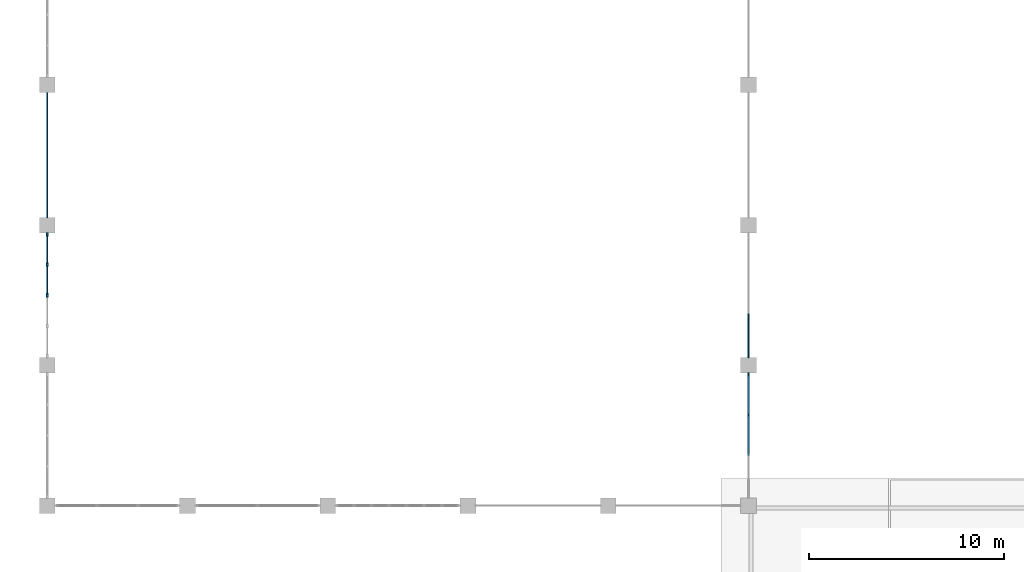
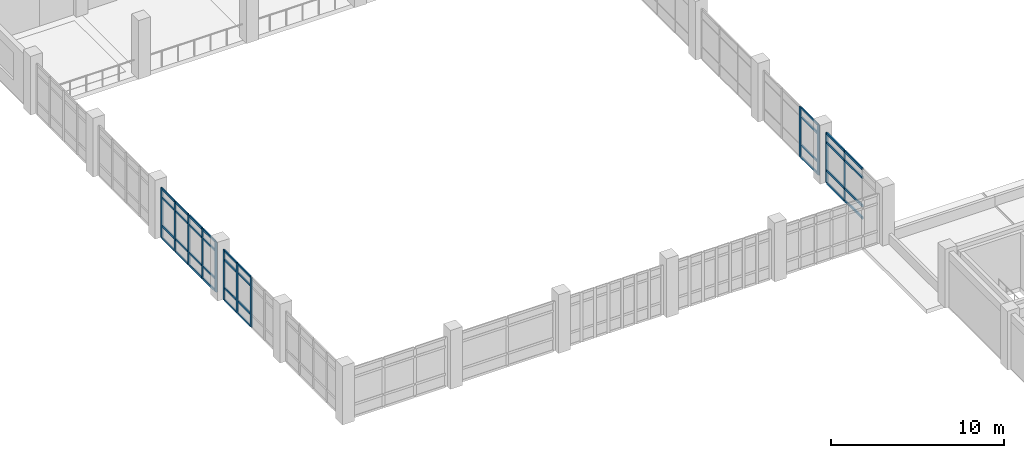
# One storey, part 5 of 62: 48 members, 4 elements without a shape of their own.
"""IFC4 building model written with IfcOpenShell, lengths in metres."""

from ifc_helpers import new_model, si_unit, direction, frame, origin, origin_2d, place, context, subcontext, project, spatial, rectangle, extrude, material, layer, layer_set, material_profile, profile_set, type_object, element, aggregate, save


model = new_model("IFC4")

# Units and contexts
model_context = context("Model", 3, precision=1e-05, world=origin(), true_north=direction((0.0, 1.0)))
body_context = subcontext(model_context, "Body", "Model", "MODEL_VIEW")
ifc_project = project(units=[si_unit("LENGTHUNIT", "METRE"), si_unit("AREAUNIT", "SQUARE_METRE"), si_unit("VOLUMEUNIT", "CUBIC_METRE"), si_unit("PLANEANGLEUNIT", "RADIAN"), si_unit("MASSUNIT", "GRAM", prefix="KILO")], contexts=[model_context])

# Site, building, storey
site_placement = place(None, origin())
site = spatial("IfcSite", under=ifc_project, at=site_placement, CompositionType="ELEMENT")
building_placement = place(site_placement, origin())
building = spatial("IfcBuilding", under=site, at=building_placement, Name="Kavelor Marine Aquarium", CompositionType="ELEMENT")
storey_placement = place(building_placement, frame((0.0, 0.0, 13.5)))
storey = spatial("IfcBuildingStorey", under=building, at=storey_placement, Name="L03", CompositionType="ELEMENT", Elevation=13.5)

# Curtain wall, members
ifc_material_1 = material(Name="Thermally Broken Aluminium and Low-E Glass", Category="aluminium")
ifc_layer_1 = layer(ifc_material_1, 0.243896484375)
ifc_layer_set_1 = layer_set([ifc_layer_1], Name="CW-SYS13")
curtain_wall_type_1 = type_object("IfcCurtainWallType", Name="CW-SYS13", PredefinedType="USERDEFINED", material=ifc_layer_set_1)
curtain_wall_1_placement = place(storey_placement, origin())
curtain_wall_1 = element("IfcCurtainWall", 1, at=curtain_wall_1_placement, inside=storey, type_object=curtain_wall_type_1, Name="cw:y:L03:00_05", ObjectType="Curtain Wall", PredefinedType="USERDEFINED")
ifc_material_2 = material(Name="Anodised Aluminium Alloy 6063-T6", Category="aluminium")
ifc_material_profile_1 = material_profile(ifc_material_2, rectangle(XDim=0.074951171875, YDim=0.179931640625, at=origin_2d()), Name="CW-MUL 75x180")
ifc_profile_set_1 = profile_set([ifc_material_profile_1], Name="Anodised Aluminium Alloy 6063-T6")
member_type_1 = type_object("IfcMemberType", Name="CWM-1", PredefinedType="MULLION", material=ifc_profile_set_1)
member_1_placement = place(storey_placement, frame((3.199951171875, 45.517578125, 0.0), z_axis=(0.0, 0.0, 1.0), x_axis=(1.0, 0.0, 0.0)))
member_1 = element("IfcMember", 2, at=member_1_placement, type_object=member_type_1, Name="CW13 mullion 1", PredefinedType="MULLION", context=body_context, shape_type="SweptSolid", body=[
    extrude(rectangle(XDim=0.074951171875, YDim=0.179931640625, at=origin_2d()), origin(), (0.0, 0.0, 1.0), 3.530029296875),
])
member_2_placement = place(storey_placement, frame((3.199951171875, 43.9775390625, 0.0), z_axis=(0.0, 0.0, 1.0), x_axis=(1.0, 0.0, 0.0)))
member_2 = element("IfcMember", 3, at=member_2_placement, type_object=member_type_1, Name="CW13 mullion 2", PredefinedType="MULLION", context=body_context, shape_type="SweptSolid", body=[
    extrude(rectangle(XDim=0.074951171875, YDim=0.179931640625, at=origin_2d()), origin(), (0.0, 0.0, 1.0), 3.530029296875),
])
member_3_placement = place(storey_placement, frame((3.199951171875, 42.39990234375, 0.0), z_axis=(0.0, 0.0, 1.0), x_axis=(1.0, 0.0, 0.0)))
member_3 = element("IfcMember", 4, at=member_3_placement, type_object=member_type_1, Name="CW13 mullion 3", PredefinedType="MULLION", context=body_context, shape_type="SweptSolid", body=[
    extrude(rectangle(XDim=0.074951171875, YDim=0.179931640625, at=origin_2d()), origin(), (0.0, 0.0, 1.0), 3.530029296875),
])
member_4_placement = place(storey_placement, frame((3.199951171875, 40.822509765625, 0.0), z_axis=(0.0, 0.0, 1.0), x_axis=(1.0, 0.0, 0.0)))
member_4 = element("IfcMember", 5, at=member_4_placement, type_object=member_type_1, Name="CW13 mullion 4", PredefinedType="MULLION", context=body_context, shape_type="SweptSolid", body=[
    extrude(rectangle(XDim=0.074951171875, YDim=0.179931640625, at=origin_2d()), origin(), (0.0, 0.0, 1.0), 3.530029296875),
])
member_5_placement = place(storey_placement, frame((3.199951171875, 39.282470703125, 0.0), z_axis=(0.0, 0.0, 1.0), x_axis=(1.0, 0.0, 0.0)))
member_5 = element("IfcMember", 6, at=member_5_placement, type_object=member_type_1, Name="CW13 mullion 5", PredefinedType="MULLION", context=body_context, shape_type="SweptSolid", body=[
    extrude(rectangle(XDim=0.074951171875, YDim=0.179931640625, at=origin_2d()), origin(), (0.0, 0.0, 1.0), 3.530029296875),
])

ifc_material_3 = material(Name="Thermally Broken Aluminium and Low-E Glass", Category="aluminium")
ifc_layer_2 = layer(ifc_material_3, 0.27587890625)
ifc_layer_set_2 = layer_set([ifc_layer_2], Name="CW-SYS17")
curtain_wall_type_2 = type_object("IfcCurtainWallType", Name="CW-SYS17", PredefinedType="USERDEFINED", material=ifc_layer_set_2)
curtain_wall_2_placement = place(storey_placement, origin())
curtain_wall_2 = element("IfcCurtainWall", 7, at=curtain_wall_2_placement, inside=storey, type_object=curtain_wall_type_2, Name="cw:y:L03:05_03", ObjectType="Curtain Wall", PredefinedType="USERDEFINED")
ifc_material_4 = material(Name="Anodised Aluminium Alloy 6063-T6", Category="aluminium")
ifc_material_profile_2 = material_profile(ifc_material_4, rectangle(XDim=0.080078125, YDim=0.18505859375, at=origin_2d()), Name="CW-MUL 80x185")
ifc_profile_set_2 = profile_set([ifc_material_profile_2], Name="Anodised Aluminium Alloy 6063-T6")
member_type_2 = type_object("IfcMemberType", Name="CWM-2", PredefinedType="MULLION", material=ifc_profile_set_2)
member_6_placement = place(storey_placement, frame((39.199951171875, 29.0517578125, 0.0), z_axis=(0.0, 0.0, 1.0), x_axis=(-1.0, 0.0, 0.0)))
member_6 = element("IfcMember", 8, at=member_6_placement, type_object=member_type_2, Name="CW17 mullion 3", PredefinedType="MULLION", context=body_context, shape_type="SweptSolid", body=[
    extrude(rectangle(XDim=0.080078125, YDim=0.18505859375, at=origin_2d()), origin(), (0.0, 0.0, 1.0), 3.530029296875),
])
member_7_placement = place(storey_placement, frame((39.199951171875, 31.12255859375, 0.0), z_axis=(0.0, 0.0, 1.0), x_axis=(-1.0, 0.0, 0.0)))
member_7 = element("IfcMember", 9, at=member_7_placement, type_object=member_type_2, Name="CW17 mullion 4", PredefinedType="MULLION", context=body_context, shape_type="SweptSolid", body=[
    extrude(rectangle(XDim=0.080078125, YDim=0.18505859375, at=origin_2d()), origin(), (0.0, 0.0, 1.0), 3.530029296875),
])

ifc_material_5 = material(Name="Thermally Broken Aluminium and Low-E Glass", Category="aluminium")
ifc_layer_3 = layer(ifc_material_5, 0.236083984375)
ifc_layer_set_3 = layer_set([ifc_layer_3], Name="CW-SYS12")
curtain_wall_type_3 = type_object("IfcCurtainWallType", Name="CW-SYS12", PredefinedType="USERDEFINED", material=ifc_layer_set_3)
curtain_wall_3_placement = place(storey_placement, origin())
curtain_wall_3 = element("IfcCurtainWall", 10, at=curtain_wall_3_placement, inside=storey, type_object=curtain_wall_type_3, Name="cw:y:L03:00_04", ObjectType="Curtain Wall", PredefinedType="USERDEFINED")
ifc_material_6 = material(Name="Anodised Aluminium Alloy 6063-T6", Category="aluminium")
ifc_material_profile_3 = material_profile(ifc_material_6, rectangle(XDim=0.0849609375, YDim=0.18994140625, at=origin_2d()), Name="CW-MUL 85x190")
ifc_profile_set_3 = profile_set([ifc_material_profile_3], Name="Anodised Aluminium Alloy 6063-T6")
member_type_3 = type_object("IfcMemberType", Name="CWM-3", PredefinedType="MULLION", material=ifc_profile_set_3)
member_8_placement = place(storey_placement, frame((3.199951171875, 38.324951171875, 0.0), z_axis=(0.0, 0.0, 1.0), x_axis=(1.0, 0.0, 0.0)))
member_8 = element("IfcMember", 11, at=member_8_placement, type_object=member_type_3, Name="CW12 mullion 1", PredefinedType="MULLION", context=body_context, shape_type="SweptSolid", body=[
    extrude(rectangle(XDim=0.0849609375, YDim=0.18994140625, at=origin_2d()), origin(), (0.0, 0.0, 1.0), 3.530029296875),
])
member_9_placement = place(storey_placement, frame((3.199951171875, 36.777587890625, 0.0), z_axis=(0.0, 0.0, 1.0), x_axis=(1.0, 0.0, 0.0)))
member_9 = element("IfcMember", 12, at=member_9_placement, type_object=member_type_3, Name="CW12 mullion 2", PredefinedType="MULLION", context=body_context, shape_type="SweptSolid", body=[
    extrude(rectangle(XDim=0.0849609375, YDim=0.18994140625, at=origin_2d()), origin(), (0.0, 0.0, 1.0), 3.530029296875),
])
member_10_placement = place(storey_placement, frame((3.199951171875, 35.199951171875, 0.0), z_axis=(0.0, 0.0, 1.0), x_axis=(1.0, 0.0, 0.0)))
member_10 = element("IfcMember", 13, at=member_10_placement, type_object=member_type_3, Name="CW12 mullion 3", PredefinedType="MULLION", context=body_context, shape_type="SweptSolid", body=[
    extrude(rectangle(XDim=0.0849609375, YDim=0.18994140625, at=origin_2d()), origin(), (0.0, 0.0, 1.0), 3.530029296875),
])

ifc_material_7 = material(Name="Thermally Broken Aluminium and Low-E Glass", Category="aluminium")
ifc_layer_4 = layer(ifc_material_7, 0.283935546875)
ifc_layer_set_4 = layer_set([ifc_layer_4], Name="CW-SYS18")
curtain_wall_type_4 = type_object("IfcCurtainWallType", Name="CW-SYS18", PredefinedType="USERDEFINED", material=ifc_layer_set_4)
curtain_wall_4_placement = place(storey_placement, origin())
curtain_wall_4 = element("IfcCurtainWall", 14, at=curtain_wall_4_placement, inside=storey, type_object=curtain_wall_type_4, Name="cw:y:L03:05_04", ObjectType="Curtain Wall", PredefinedType="USERDEFINED")
member_11_placement = place(storey_placement, frame((39.199951171875, 32.074951171875, 0.0), z_axis=(0.0, 0.0, 1.0), x_axis=(-1.0, 0.0, 0.0)))
member_11 = element("IfcMember", 15, at=member_11_placement, type_object=member_type_3, Name="CW18 mullion 1", PredefinedType="MULLION", context=body_context, shape_type="SweptSolid", body=[
    extrude(rectangle(XDim=0.0849609375, YDim=0.18994140625, at=origin_2d()), origin(), (0.0, 0.0, 1.0), 3.530029296875),
])
member_12_placement = place(storey_placement, frame((39.199951171875, 34.1484375, 0.0), z_axis=(0.0, 0.0, 1.0), x_axis=(-1.0, 0.0, 0.0)))
member_12 = element("IfcMember", 16, at=member_12_placement, type_object=member_type_3, Name="CW18 mullion 2", PredefinedType="MULLION", context=body_context, shape_type="SweptSolid", body=[
    extrude(rectangle(XDim=0.0849609375, YDim=0.18994140625, at=origin_2d()), origin(), (0.0, 0.0, 1.0), 3.530029296875),
])

# Member
ifc_material_8 = material(Name="Anodised Aluminium Alloy 6063-T6", Category="aluminium")
ifc_material_profile_4 = material_profile(ifc_material_8, rectangle(XDim=0.074951171875, YDim=0.14990234375, at=origin_2d()), Name="CW-TRN 75x150")
ifc_profile_set_4 = profile_set([ifc_material_profile_4], Name="Anodised Aluminium Alloy 6063-T6")
member_type_4 = type_object("IfcMemberType", Name="CWT-1", PredefinedType="USERDEFINED", material=ifc_profile_set_4)
member_13_placement = place(storey_placement, frame((3.199951171875, 38.294921875, 0.03759765625), z_axis=(0.0, -1.0, 0.0), x_axis=(1.0, 0.0, 0.0)))
member_13 = element("IfcMember", 17, at=member_13_placement, type_object=member_type_4, Name="CW12 transom 1.1", ObjectType="TRANSOM", PredefinedType="USERDEFINED", context=body_context, shape_type="SweptSolid", body=[
    extrude(rectangle(XDim=0.074951171875, YDim=0.14990234375, at=origin_2d()), origin(), (0.0, 0.0, 1.0), 1.4873046875),
])

member_14_placement = place(storey_placement, frame((3.199951171875, 38.294921875, 0.89990234375), z_axis=(0.0, -1.0, 0.0), x_axis=(1.0, 0.0, 0.0)))
member_14 = element("IfcMember", 18, at=member_14_placement, type_object=member_type_4, Name="CW12 transom 1.2", ObjectType="TRANSOM", PredefinedType="USERDEFINED", context=body_context, shape_type="SweptSolid", body=[
    extrude(rectangle(XDim=0.074951171875, YDim=0.14990234375, at=origin_2d()), origin(), (0.0, 0.0, 1.0), 1.4873046875),
])

member_15_placement = place(storey_placement, frame((3.199951171875, 38.294921875, 2.8798828125), z_axis=(0.0, -1.0, 0.0), x_axis=(1.0, 0.0, 0.0)))
member_15 = element("IfcMember", 19, at=member_15_placement, type_object=member_type_4, Name="CW12 transom 1.3", ObjectType="TRANSOM", PredefinedType="USERDEFINED", context=body_context, shape_type="SweptSolid", body=[
    extrude(rectangle(XDim=0.074951171875, YDim=0.14990234375, at=origin_2d()), origin(), (0.0, 0.0, 1.0), 1.4873046875),
])

member_16_placement = place(storey_placement, frame((3.199951171875, 38.294921875, 3.492431640625), z_axis=(0.0, -1.0, 0.0), x_axis=(1.0, 0.0, 0.0)))
member_16 = element("IfcMember", 20, at=member_16_placement, type_object=member_type_4, Name="CW12 transom 1.4", ObjectType="TRANSOM", PredefinedType="USERDEFINED", context=body_context, shape_type="SweptSolid", body=[
    extrude(rectangle(XDim=0.074951171875, YDim=0.14990234375, at=origin_2d()), origin(), (0.0, 0.0, 1.0), 1.4873046875),
])

member_17_placement = place(storey_placement, frame((3.199951171875, 36.74755859375, 0.03759765625), z_axis=(0.0, -1.0, 0.0), x_axis=(1.0, 0.0, 0.0)))
member_17 = element("IfcMember", 21, at=member_17_placement, type_object=member_type_4, Name="CW12 transom 2.1", ObjectType="TRANSOM", PredefinedType="USERDEFINED", context=body_context, shape_type="SweptSolid", body=[
    extrude(rectangle(XDim=0.074951171875, YDim=0.14990234375, at=origin_2d()), origin(), (0.0, 0.0, 1.0), 1.517578125),
])

member_18_placement = place(storey_placement, frame((3.199951171875, 36.74755859375, 0.89990234375), z_axis=(0.0, -1.0, 0.0), x_axis=(1.0, 0.0, 0.0)))
member_18 = element("IfcMember", 22, at=member_18_placement, type_object=member_type_4, Name="CW12 transom 2.2", ObjectType="TRANSOM", PredefinedType="USERDEFINED", context=body_context, shape_type="SweptSolid", body=[
    extrude(rectangle(XDim=0.074951171875, YDim=0.14990234375, at=origin_2d()), origin(), (0.0, 0.0, 1.0), 1.517578125),
])

member_19_placement = place(storey_placement, frame((3.199951171875, 36.74755859375, 2.8798828125), z_axis=(0.0, -1.0, 0.0), x_axis=(1.0, 0.0, 0.0)))
member_19 = element("IfcMember", 23, at=member_19_placement, type_object=member_type_4, Name="CW12 transom 2.3", ObjectType="TRANSOM", PredefinedType="USERDEFINED", context=body_context, shape_type="SweptSolid", body=[
    extrude(rectangle(XDim=0.074951171875, YDim=0.14990234375, at=origin_2d()), origin(), (0.0, 0.0, 1.0), 1.517578125),
])

member_20_placement = place(storey_placement, frame((3.199951171875, 36.74755859375, 3.492431640625), z_axis=(0.0, -1.0, 0.0), x_axis=(1.0, 0.0, 0.0)))
member_20 = element("IfcMember", 24, at=member_20_placement, type_object=member_type_4, Name="CW12 transom 2.4", ObjectType="TRANSOM", PredefinedType="USERDEFINED", context=body_context, shape_type="SweptSolid", body=[
    extrude(rectangle(XDim=0.074951171875, YDim=0.14990234375, at=origin_2d()), origin(), (0.0, 0.0, 1.0), 1.517578125),
])

aggregate(curtain_wall_3, [member_8, member_9, member_10, member_13, member_14, member_15, member_16, member_17, member_18, member_19, member_20])

member_21_placement = place(storey_placement, frame((3.199951171875, 45.47998046875, 0.03759765625), z_axis=(0.0, -1.0, 0.0), x_axis=(1.0, 0.0, 0.0)))
member_21 = element("IfcMember", 25, at=member_21_placement, type_object=member_type_4, Name="CW13 transom 1.1", ObjectType="TRANSOM", PredefinedType="USERDEFINED", context=body_context, shape_type="SweptSolid", body=[
    extrude(rectangle(XDim=0.074951171875, YDim=0.14990234375, at=origin_2d()), origin(), (0.0, 0.0, 1.0), 1.465087890625),
])

member_22_placement = place(storey_placement, frame((3.199951171875, 45.47998046875, 0.89990234375), z_axis=(0.0, -1.0, 0.0), x_axis=(1.0, 0.0, 0.0)))
member_22 = element("IfcMember", 26, at=member_22_placement, type_object=member_type_4, Name="CW13 transom 1.2", ObjectType="TRANSOM", PredefinedType="USERDEFINED", context=body_context, shape_type="SweptSolid", body=[
    extrude(rectangle(XDim=0.074951171875, YDim=0.14990234375, at=origin_2d()), origin(), (0.0, 0.0, 1.0), 1.465087890625),
])

member_23_placement = place(storey_placement, frame((3.199951171875, 45.47998046875, 2.8798828125), z_axis=(0.0, -1.0, 0.0), x_axis=(1.0, 0.0, 0.0)))
member_23 = element("IfcMember", 27, at=member_23_placement, type_object=member_type_4, Name="CW13 transom 1.3", ObjectType="TRANSOM", PredefinedType="USERDEFINED", context=body_context, shape_type="SweptSolid", body=[
    extrude(rectangle(XDim=0.074951171875, YDim=0.14990234375, at=origin_2d()), origin(), (0.0, 0.0, 1.0), 1.465087890625),
])

member_24_placement = place(storey_placement, frame((3.199951171875, 45.47998046875, 3.492431640625), z_axis=(0.0, -1.0, 0.0), x_axis=(1.0, 0.0, 0.0)))
member_24 = element("IfcMember", 28, at=member_24_placement, type_object=member_type_4, Name="CW13 transom 1.4", ObjectType="TRANSOM", PredefinedType="USERDEFINED", context=body_context, shape_type="SweptSolid", body=[
    extrude(rectangle(XDim=0.074951171875, YDim=0.14990234375, at=origin_2d()), origin(), (0.0, 0.0, 1.0), 1.465087890625),
])

member_25_placement = place(storey_placement, frame((3.199951171875, 43.93994140625, 0.03759765625), z_axis=(0.0, -1.0, 0.0), x_axis=(1.0, 0.0, 0.0)))
member_25 = element("IfcMember", 29, at=member_25_placement, type_object=member_type_4, Name="CW13 transom 2.1", ObjectType="TRANSOM", PredefinedType="USERDEFINED", context=body_context, shape_type="SweptSolid", body=[
    extrude(rectangle(XDim=0.074951171875, YDim=0.14990234375, at=origin_2d()), origin(), (0.0, 0.0, 1.0), 1.50244140625),
])

member_26_placement = place(storey_placement, frame((3.199951171875, 43.93994140625, 0.89990234375), z_axis=(0.0, -1.0, 0.0), x_axis=(1.0, 0.0, 0.0)))
member_26 = element("IfcMember", 30, at=member_26_placement, type_object=member_type_4, Name="CW13 transom 2.2", ObjectType="TRANSOM", PredefinedType="USERDEFINED", context=body_context, shape_type="SweptSolid", body=[
    extrude(rectangle(XDim=0.074951171875, YDim=0.14990234375, at=origin_2d()), origin(), (0.0, 0.0, 1.0), 1.50244140625),
])

member_27_placement = place(storey_placement, frame((3.199951171875, 43.93994140625, 2.8798828125), z_axis=(0.0, -1.0, 0.0), x_axis=(1.0, 0.0, 0.0)))
member_27 = element("IfcMember", 31, at=member_27_placement, type_object=member_type_4, Name="CW13 transom 2.3", ObjectType="TRANSOM", PredefinedType="USERDEFINED", context=body_context, shape_type="SweptSolid", body=[
    extrude(rectangle(XDim=0.074951171875, YDim=0.14990234375, at=origin_2d()), origin(), (0.0, 0.0, 1.0), 1.50244140625),
])

member_28_placement = place(storey_placement, frame((3.199951171875, 43.93994140625, 3.492431640625), z_axis=(0.0, -1.0, 0.0), x_axis=(1.0, 0.0, 0.0)))
member_28 = element("IfcMember", 32, at=member_28_placement, type_object=member_type_4, Name="CW13 transom 2.4", ObjectType="TRANSOM", PredefinedType="USERDEFINED", context=body_context, shape_type="SweptSolid", body=[
    extrude(rectangle(XDim=0.074951171875, YDim=0.14990234375, at=origin_2d()), origin(), (0.0, 0.0, 1.0), 1.50244140625),
])

member_29_placement = place(storey_placement, frame((3.199951171875, 42.362548828125, 0.03759765625), z_axis=(0.0, -1.0, 0.0), x_axis=(1.0, 0.0, 0.0)))
member_29 = element("IfcMember", 33, at=member_29_placement, type_object=member_type_4, Name="CW13 transom 3.1", ObjectType="TRANSOM", PredefinedType="USERDEFINED", context=body_context, shape_type="SweptSolid", body=[
    extrude(rectangle(XDim=0.074951171875, YDim=0.14990234375, at=origin_2d()), origin(), (0.0, 0.0, 1.0), 1.50244140625),
])

member_30_placement = place(storey_placement, frame((3.199951171875, 42.362548828125, 0.89990234375), z_axis=(0.0, -1.0, 0.0), x_axis=(1.0, 0.0, 0.0)))
member_30 = element("IfcMember", 34, at=member_30_placement, type_object=member_type_4, Name="CW13 transom 3.2", ObjectType="TRANSOM", PredefinedType="USERDEFINED", context=body_context, shape_type="SweptSolid", body=[
    extrude(rectangle(XDim=0.074951171875, YDim=0.14990234375, at=origin_2d()), origin(), (0.0, 0.0, 1.0), 1.50244140625),
])

member_31_placement = place(storey_placement, frame((3.199951171875, 42.362548828125, 2.8798828125), z_axis=(0.0, -1.0, 0.0), x_axis=(1.0, 0.0, 0.0)))
member_31 = element("IfcMember", 35, at=member_31_placement, type_object=member_type_4, Name="CW13 transom 3.3", ObjectType="TRANSOM", PredefinedType="USERDEFINED", context=body_context, shape_type="SweptSolid", body=[
    extrude(rectangle(XDim=0.074951171875, YDim=0.14990234375, at=origin_2d()), origin(), (0.0, 0.0, 1.0), 1.50244140625),
])

member_32_placement = place(storey_placement, frame((3.199951171875, 42.362548828125, 3.492431640625), z_axis=(0.0, -1.0, 0.0), x_axis=(1.0, 0.0, 0.0)))
member_32 = element("IfcMember", 36, at=member_32_placement, type_object=member_type_4, Name="CW13 transom 3.4", ObjectType="TRANSOM", PredefinedType="USERDEFINED", context=body_context, shape_type="SweptSolid", body=[
    extrude(rectangle(XDim=0.074951171875, YDim=0.14990234375, at=origin_2d()), origin(), (0.0, 0.0, 1.0), 1.50244140625),
])

member_33_placement = place(storey_placement, frame((3.199951171875, 40.784912109375, 0.03759765625), z_axis=(0.0, -1.0, 0.0), x_axis=(1.0, 0.0, 0.0)))
member_33 = element("IfcMember", 37, at=member_33_placement, type_object=member_type_4, Name="CW13 transom 4.1", ObjectType="TRANSOM", PredefinedType="USERDEFINED", context=body_context, shape_type="SweptSolid", body=[
    extrude(rectangle(XDim=0.074951171875, YDim=0.14990234375, at=origin_2d()), origin(), (0.0, 0.0, 1.0), 1.46484375),
])

member_34_placement = place(storey_placement, frame((3.199951171875, 40.784912109375, 0.89990234375), z_axis=(0.0, -1.0, 0.0), x_axis=(1.0, 0.0, 0.0)))
member_34 = element("IfcMember", 38, at=member_34_placement, type_object=member_type_4, Name="CW13 transom 4.2", ObjectType="TRANSOM", PredefinedType="USERDEFINED", context=body_context, shape_type="SweptSolid", body=[
    extrude(rectangle(XDim=0.074951171875, YDim=0.14990234375, at=origin_2d()), origin(), (0.0, 0.0, 1.0), 1.46484375),
])

member_35_placement = place(storey_placement, frame((3.199951171875, 40.784912109375, 2.8798828125), z_axis=(0.0, -1.0, 0.0), x_axis=(1.0, 0.0, 0.0)))
member_35 = element("IfcMember", 39, at=member_35_placement, type_object=member_type_4, Name="CW13 transom 4.3", ObjectType="TRANSOM", PredefinedType="USERDEFINED", context=body_context, shape_type="SweptSolid", body=[
    extrude(rectangle(XDim=0.074951171875, YDim=0.14990234375, at=origin_2d()), origin(), (0.0, 0.0, 1.0), 1.46484375),
])

member_36_placement = place(storey_placement, frame((3.199951171875, 40.784912109375, 3.492431640625), z_axis=(0.0, -1.0, 0.0), x_axis=(1.0, 0.0, 0.0)))
member_36 = element("IfcMember", 40, at=member_36_placement, type_object=member_type_4, Name="CW13 transom 4.4", ObjectType="TRANSOM", PredefinedType="USERDEFINED", context=body_context, shape_type="SweptSolid", body=[
    extrude(rectangle(XDim=0.074951171875, YDim=0.14990234375, at=origin_2d()), origin(), (0.0, 0.0, 1.0), 1.46484375),
])

aggregate(curtain_wall_1, [member_1, member_2, member_3, member_4, member_5, member_21, member_22, member_23, member_24, member_25, member_26, member_27, member_28, member_29, member_30, member_31, member_32, member_33, member_34, member_35, member_36])

member_37_placement = place(storey_placement, frame((39.199951171875, 32.10498046875, 0.03759765625), z_axis=(0.0, 1.0, 0.0), x_axis=(-1.0, 0.0, 0.0)))
member_37 = element("IfcMember", 41, at=member_37_placement, type_object=member_type_4, Name="CW18 transom 1.1", ObjectType="TRANSOM", PredefinedType="USERDEFINED", context=body_context, shape_type="SweptSolid", body=[
    extrude(rectangle(XDim=0.074951171875, YDim=0.14990234375, at=origin_2d()), origin(), (0.0, 0.0, 1.0), 2.013427734375),
])

member_38_placement = place(storey_placement, frame((39.199951171875, 32.10498046875, 0.89990234375), z_axis=(0.0, 1.0, 0.0), x_axis=(-1.0, 0.0, 0.0)))
member_38 = element("IfcMember", 42, at=member_38_placement, type_object=member_type_4, Name="CW18 transom 1.2", ObjectType="TRANSOM", PredefinedType="USERDEFINED", context=body_context, shape_type="SweptSolid", body=[
    extrude(rectangle(XDim=0.074951171875, YDim=0.14990234375, at=origin_2d()), origin(), (0.0, 0.0, 1.0), 2.013427734375),
])

member_39_placement = place(storey_placement, frame((39.199951171875, 32.10498046875, 2.8798828125), z_axis=(0.0, 1.0, 0.0), x_axis=(-1.0, 0.0, 0.0)))
member_39 = element("IfcMember", 43, at=member_39_placement, type_object=member_type_4, Name="CW18 transom 1.3", ObjectType="TRANSOM", PredefinedType="USERDEFINED", context=body_context, shape_type="SweptSolid", body=[
    extrude(rectangle(XDim=0.074951171875, YDim=0.14990234375, at=origin_2d()), origin(), (0.0, 0.0, 1.0), 2.013427734375),
])

member_40_placement = place(storey_placement, frame((39.199951171875, 32.10498046875, 3.492431640625), z_axis=(0.0, 1.0, 0.0), x_axis=(-1.0, 0.0, 0.0)))
member_40 = element("IfcMember", 44, at=member_40_placement, type_object=member_type_4, Name="CW18 transom 1.4", ObjectType="TRANSOM", PredefinedType="USERDEFINED", context=body_context, shape_type="SweptSolid", body=[
    extrude(rectangle(XDim=0.074951171875, YDim=0.14990234375, at=origin_2d()), origin(), (0.0, 0.0, 1.0), 2.013427734375),
])

aggregate(curtain_wall_4, [member_11, member_12, member_37, member_38, member_39, member_40])

ifc_material_9 = material(Name="Anodised Aluminium Alloy 6063-T6", Category="aluminium")
ifc_material_profile_5 = material_profile(ifc_material_9, rectangle(XDim=0.0849609375, YDim=0.159912109375, at=origin_2d()), Name="CW-TRN 85x160")
ifc_profile_set_5 = profile_set([ifc_material_profile_5], Name="Anodised Aluminium Alloy 6063-T6")
member_type_5 = type_object("IfcMemberType", Name="CWT-3", PredefinedType="USERDEFINED", material=ifc_profile_set_5)
member_41_placement = place(storey_placement, frame((39.199951171875, 26.980712890625, 0.030029296875), z_axis=(0.0, 1.0, 0.0), x_axis=(-1.0, 0.0, 0.0)))
member_41 = element("IfcMember", 45, at=member_41_placement, type_object=member_type_5, Name="CW17 transom 2.1", ObjectType="TRANSOM", PredefinedType="USERDEFINED", context=body_context, shape_type="SweptSolid", body=[
    extrude(rectangle(XDim=0.0849609375, YDim=0.159912109375, at=origin_2d()), origin(), (0.0, 0.0, 1.0), 2.03857421875),
])

member_42_placement = place(storey_placement, frame((39.199951171875, 26.980712890625, 0.89990234375), z_axis=(0.0, 1.0, 0.0), x_axis=(-1.0, 0.0, 0.0)))
member_42 = element("IfcMember", 46, at=member_42_placement, type_object=member_type_5, Name="CW17 transom 2.2", ObjectType="TRANSOM", PredefinedType="USERDEFINED", context=body_context, shape_type="SweptSolid", body=[
    extrude(rectangle(XDim=0.0849609375, YDim=0.159912109375, at=origin_2d()), origin(), (0.0, 0.0, 1.0), 2.03857421875),
])

member_43_placement = place(storey_placement, frame((39.199951171875, 26.980712890625, 2.8798828125), z_axis=(0.0, 1.0, 0.0), x_axis=(-1.0, 0.0, 0.0)))
member_43 = element("IfcMember", 47, at=member_43_placement, type_object=member_type_5, Name="CW17 transom 2.3", ObjectType="TRANSOM", PredefinedType="USERDEFINED", context=body_context, shape_type="SweptSolid", body=[
    extrude(rectangle(XDim=0.0849609375, YDim=0.159912109375, at=origin_2d()), origin(), (0.0, 0.0, 1.0), 2.03857421875),
])

member_44_placement = place(storey_placement, frame((39.199951171875, 26.980712890625, 3.5), z_axis=(0.0, 1.0, 0.0), x_axis=(-1.0, 0.0, 0.0)))
member_44 = element("IfcMember", 48, at=member_44_placement, type_object=member_type_5, Name="CW17 transom 2.4", ObjectType="TRANSOM", PredefinedType="USERDEFINED", context=body_context, shape_type="SweptSolid", body=[
    extrude(rectangle(XDim=0.0849609375, YDim=0.159912109375, at=origin_2d()), origin(), (0.0, 0.0, 1.0), 2.03857421875),
])

member_45_placement = place(storey_placement, frame((39.199951171875, 29.084228515625, 0.030029296875), z_axis=(0.0, 1.0, 0.0), x_axis=(-1.0, 0.0, 0.0)))
member_45 = element("IfcMember", 49, at=member_45_placement, type_object=member_type_5, Name="CW17 transom 3.1", ObjectType="TRANSOM", PredefinedType="USERDEFINED", context=body_context, shape_type="SweptSolid", body=[
    extrude(rectangle(XDim=0.0849609375, YDim=0.159912109375, at=origin_2d()), origin(), (0.0, 0.0, 1.0), 2.005859375),
])

member_46_placement = place(storey_placement, frame((39.199951171875, 29.084228515625, 0.89990234375), z_axis=(0.0, 1.0, 0.0), x_axis=(-1.0, 0.0, 0.0)))
member_46 = element("IfcMember", 50, at=member_46_placement, type_object=member_type_5, Name="CW17 transom 3.2", ObjectType="TRANSOM", PredefinedType="USERDEFINED", context=body_context, shape_type="SweptSolid", body=[
    extrude(rectangle(XDim=0.0849609375, YDim=0.159912109375, at=origin_2d()), origin(), (0.0, 0.0, 1.0), 2.005859375),
])

member_47_placement = place(storey_placement, frame((39.199951171875, 29.084228515625, 2.8798828125), z_axis=(0.0, 1.0, 0.0), x_axis=(-1.0, 0.0, 0.0)))
member_47 = element("IfcMember", 51, at=member_47_placement, type_object=member_type_5, Name="CW17 transom 3.3", ObjectType="TRANSOM", PredefinedType="USERDEFINED", context=body_context, shape_type="SweptSolid", body=[
    extrude(rectangle(XDim=0.0849609375, YDim=0.159912109375, at=origin_2d()), origin(), (0.0, 0.0, 1.0), 2.005859375),
])

member_48_placement = place(storey_placement, frame((39.199951171875, 29.084228515625, 3.5), z_axis=(0.0, 1.0, 0.0), x_axis=(-1.0, 0.0, 0.0)))
member_48 = element("IfcMember", 52, at=member_48_placement, type_object=member_type_5, Name="CW17 transom 3.4", ObjectType="TRANSOM", PredefinedType="USERDEFINED", context=body_context, shape_type="SweptSolid", body=[
    extrude(rectangle(XDim=0.0849609375, YDim=0.159912109375, at=origin_2d()), origin(), (0.0, 0.0, 1.0), 2.005859375),
])

aggregate(curtain_wall_2, [member_6, member_7, member_41, member_42, member_43, member_44, member_45, member_46, member_47, member_48])

save(model, "model.ifc")
